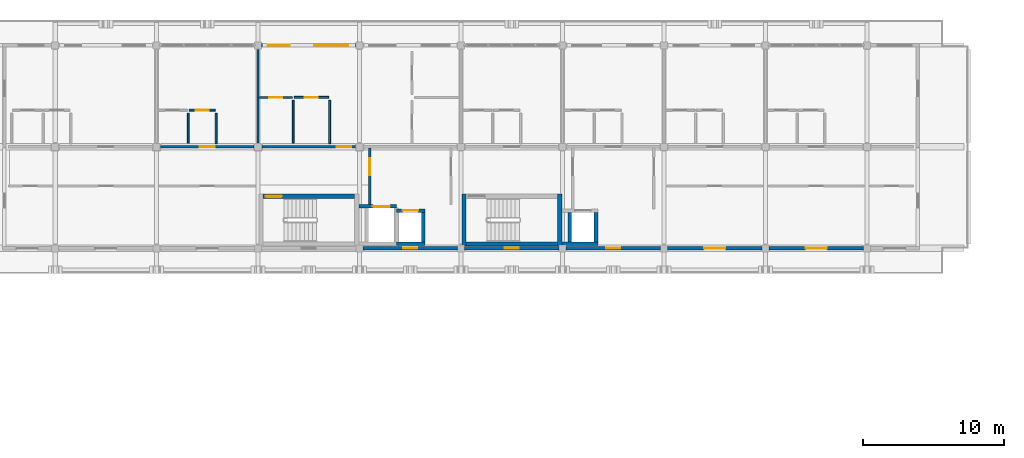
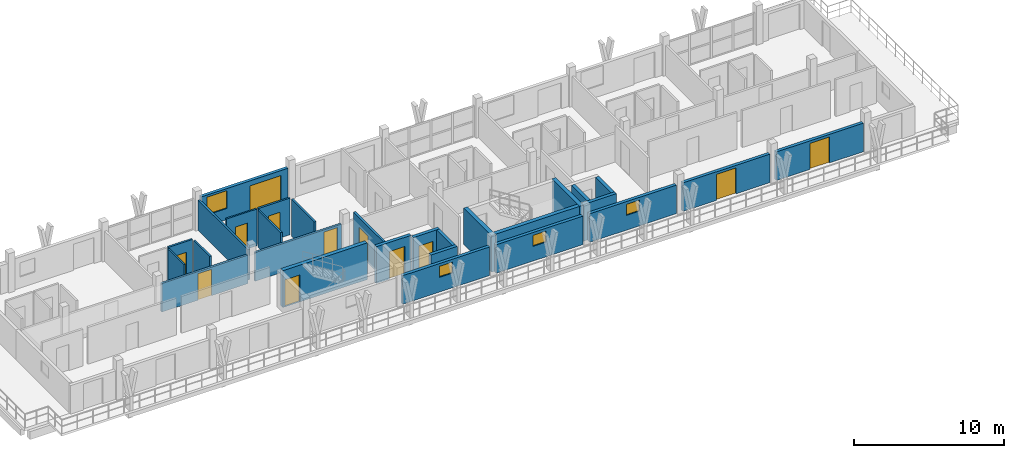
# One storey, part 28 of 45: 28 walls, 12 doors, 4 windows, 16 openings.
"""IFC4 building model written with IfcOpenShell, lengths in metres."""

from ifc_helpers import new_model, si_unit, direction, frame, frame_2d, origin, place, context, subcontext, project, spatial, rectangle, extrude, material, layer, layer_set, type_object, element, fill, save


model = new_model("IFC4")

# Units and contexts
model_context = context("Model", 3, precision=1e-05, world=origin(), true_north=direction((0.0, 1.0)))
body_context = subcontext(model_context, "Body", "Model", "MODEL_VIEW")
ifc_project = project(units=[si_unit("LENGTHUNIT", "METRE"), si_unit("AREAUNIT", "SQUARE_METRE"), si_unit("VOLUMEUNIT", "CUBIC_METRE"), si_unit("PLANEANGLEUNIT", "RADIAN"), si_unit("MASSUNIT", "GRAM", prefix="KILO")], contexts=[model_context])

# Site, building, storey
site_placement = place(None, origin())
site = spatial("IfcSite", under=ifc_project, at=site_placement, CompositionType="ELEMENT")
building_placement = place(site_placement, origin())
building = spatial("IfcBuilding", under=site, at=building_placement, Name="Suanplinth Sawtooth Commons", CompositionType="ELEMENT")
storey_placement = place(building_placement, frame((0.0, 0.0, 38.0)))
storey = spatial("IfcBuildingStorey", under=building, at=storey_placement, Name="L11", CompositionType="ELEMENT", Elevation=38.0)

# Wall, opening, door
ifc_material_1 = material(Name="Concrete C40/50", Category="concrete")
ifc_layer_1 = layer(ifc_material_1, 0.300048828125, Name="Standard RC stair and lift core wall 300mm")
ifc_layer_set_1 = layer_set([ifc_layer_1], Name="Concrete C40/50")
wall_type_1 = type_object("IfcWallType", Name="W-CR02", PredefinedType="SHEAR", material=ifc_layer_set_1)
wall_1_placement = place(storey_placement, frame((43.550048828125, 111.699951171875, 0.0), z_axis=(0.0, 0.0, 1.0), x_axis=(1.0, 0.0, 0.0)))
wall_1 = element("IfcWall", 1, at=wall_1_placement, inside=storey, type_object=wall_type_1, Name="W-L11-C-A1-STN", PredefinedType="SHEAR", context=body_context, shape_type="SweptSolid", body=[
    extrude(rectangle(XDim=6.5, YDim=0.300048828125, at=frame_2d((3.25, 0.0))), origin(), (0.0, 0.0, 1.0), 2.989990234375),
])
opening_1_placement = place(wall_1_placement, frame((0.179931640625, 0.0, 0.0)))
opening_1 = element("IfcOpeningElement", 2, at=opening_1_placement, cuts=wall_1, Name="Opening FD0061", PredefinedType="OPENING", context=body_context, shape_type="SweptSolid", body=[
    extrude(rectangle(XDim=1.14990234375, YDim=2.199951171875, at=frame_2d((0.574951171875, 1.10009765625))), frame((0.0, 0.1650390625, 0.0), z_axis=(0.0, -1.0, 0.0), x_axis=(1.0, 0.0, 0.0)), (0.0, 0.0, 1.0), 0.329833984375),
])
ifc_material_2 = material(Name="Teak hardwood fire-rated door assembly", Category="wood")
door_type_1 = type_object("IfcDoorType", Name="FD-01", OperationType="NOTDEFINED", PredefinedType="DOOR", material=ifc_material_2)
door_1_placement = place(opening_1_placement, frame((1.14990234375, 0.0, 0.0), z_axis=(0.0, 0.0, 1.0), x_axis=(-1.0, 0.0, 0.0)))
door_1 = element("IfcDoor", 3, at=door_1_placement, inside=storey, type_object=door_type_1, Name="Exit Stair Fire Door FD0061", OperationType="SINGLE_SWING_RIGHT", OverallHeight=2.199951171875, OverallWidth=1.14990234375, PredefinedType="DOOR", context=body_context, shape_type="SweptSolid", body=[
    extrude(rectangle(XDim=1.14990234375, YDim=2.199951171875, at=frame_2d((0.574951171875, 1.10009765625))), frame((0.0, 0.02490234375, 0.0), z_axis=(0.0, -1.0, 0.0), x_axis=(1.0, 0.0, 0.0)), (0.0, 0.0, 1.0), 0.050048828125),
])
fill(opening_1, door_1)

# Walls
wall_2_placement = place(storey_placement, frame((57.949951171875, 108.300048828125, 0.0), z_axis=(0.0, 0.0, 1.0), x_axis=(1.0, 0.0, 0.0)))
element("IfcWall", 4, at=wall_2_placement, inside=storey, type_object=wall_type_1, Name="W-L11-C-A2-STS", PredefinedType="SHEAR", context=body_context, shape_type="SweptSolid", body=[
    extrude(rectangle(XDim=6.5, YDim=0.300048828125, at=frame_2d((3.25, 0.0))), origin(), (0.0, 0.0, 1.0), 2.989990234375),
])
for number, where, z_axis, x_axis, name in (
    (5, (57.800048828125, 108.14990234375, 0.0), (0.0, 0.0, 1.0), (0.0, 1.0, 0.0), "W-L11-C-A2-STW"),
    (6, (64.60009765625, 108.14990234375, 0.0), (0.0, 0.0, 1.0), (0.0, 1.0, 0.0), "W-L11-C-A2-STE"),
):
    element("IfcWall", number, at=place(storey_placement, frame(where, z_axis=z_axis, x_axis=x_axis)), inside=storey, type_object=wall_type_1, Name=name, PredefinedType="SHEAR", context=body_context, shape_type="SweptSolid", body=[
        extrude(rectangle(XDim=3.7001953125, YDim=0.300048828125, at=frame_2d((1.85009765625, 0.0))), origin(), (0.0, 0.0, 1.0), 2.989990234375),
    ])

# Wall, openings, door, window
ifc_material_3 = material(Name="Precast concrete C40/50", Category="concrete")
ifc_layer_2 = layer(ifc_material_3, 0.239990234375, Name="Upper insulated precast facade wall 240mm")
ifc_layer_set_2 = layer_set([ifc_layer_2], Name="Precast concrete C40/50")
wall_type_2 = type_object("IfcWallType", Name="W-EX03", PredefinedType="ELEMENTEDWALL", material=ifc_layer_set_2)
wall_3_placement = place(storey_placement, frame((43.449951171875, 122.39990234375, 0.0), z_axis=(0.0, 0.0, 1.0), x_axis=(1.0, 0.0, 0.0)))
wall_3 = element("IfcWall", 7, at=wall_3_placement, inside=storey, type_object=wall_type_2, Name="Facade Wall W-L11-A-N-3", PredefinedType="ELEMENTEDWALL", context=body_context, shape_type="SweptSolid", body=[
    extrude(rectangle(XDim=6.699951171875, YDim=0.239990234375, at=frame_2d((3.35009765625, 0.0))), origin(), (0.0, 0.0, 1.0), 2.52490234375),
])
opening_2_placement = place(wall_3_placement, frame((3.75, 0.0, 0.0)))
opening_2 = element("IfcOpeningElement", 8, at=opening_2_placement, cuts=wall_3, Name="Opening ED0783", PredefinedType="OPENING", context=body_context, shape_type="SweptSolid", body=[
    extrude(rectangle(XDim=2.39990234375, YDim=2.1201171875, at=frame_2d((1.199951171875, 1.06005859375))), frame((0.0, 0.134765625, 0.0), z_axis=(0.0, -1.0, 0.0), x_axis=(1.0, 0.0, 0.0)), (0.0, 0.0, 1.0), 0.269775390625),
])
opening_3_placement = place(wall_3_placement, frame((0.449951171875, 0.0, 0.89990234375)))
opening_3 = element("IfcOpeningElement", 9, at=opening_3_placement, cuts=wall_3, Name="Opening W0863", PredefinedType="OPENING", context=body_context, shape_type="SweptSolid", body=[
    extrude(rectangle(XDim=1.550048828125, YDim=1.449951171875, at=frame_2d((0.77490234375, 0.72509765625))), frame((0.0, 0.134765625, 0.0), z_axis=(0.0, -1.0, 0.0), x_axis=(1.0, 0.0, 0.0)), (0.0, 0.0, 1.0), 0.269775390625),
])
ifc_material_4 = material(Name="Anodized aluminium and low-E glass", Category="aluminium")
door_type_2 = type_object("IfcDoorType", Name="SD-04", OperationType="DOUBLE_DOOR_SLIDING", PredefinedType="DOOR", material=ifc_material_4)
door_2_placement = place(opening_2_placement, frame((2.39990234375, 0.0, 0.0), z_axis=(0.0, 0.0, 1.0), x_axis=(-1.0, 0.0, 0.0)))
door_2 = element("IfcDoor", 10, at=door_2_placement, inside=storey, type_object=door_type_2, Name="Balcony Sliding Door L11-A-N-3", OperationType="DOUBLE_DOOR_SLIDING", OverallHeight=2.1201171875, OverallWidth=2.39990234375, PredefinedType="DOOR", context=body_context, shape_type="SweptSolid", body=[
    extrude(rectangle(XDim=2.39990234375, YDim=2.1201171875, at=frame_2d((1.199951171875, 1.06005859375))), frame((0.0, 0.02490234375, 0.0), z_axis=(0.0, -1.0, 0.0), x_axis=(1.0, 0.0, 0.0)), (0.0, 0.0, 1.0), 0.050048828125),
])
fill(opening_2, door_2)
ifc_material_5 = material(Name="Thermally broken aluminium and low-E double glazing", Category="aluminium")
window_type_1 = type_object("IfcWindowType", Name="WN-22", PartitioningType="DOUBLE_PANEL_VERTICAL", PredefinedType="WINDOW", material=ifc_material_5)
window_1_placement = place(opening_3_placement, origin())
window_1 = element("IfcWindow", 11, at=window_1_placement, inside=storey, type_object=window_type_1, Name="Window L11-A-N-3", OverallHeight=1.449951171875, OverallWidth=1.550048828125, PartitioningType="DOUBLE_PANEL_VERTICAL", PredefinedType="WINDOW", context=body_context, shape_type="SweptSolid", body=[
    extrude(rectangle(XDim=1.550048828125, YDim=1.449951171875, at=frame_2d((0.77490234375, 0.72509765625))), frame((0.0, 0.030029296875, 0.0), z_axis=(0.0, -1.0, 0.0), x_axis=(1.0, 0.0, 0.0)), (0.0, 0.0, 1.0), 0.06005859375),
])
fill(opening_3, window_1)

# Wall, opening, window
wall_4_placement = place(storey_placement, frame((50.64990234375, 108.0, 0.0), z_axis=(0.0, 0.0, 1.0), x_axis=(1.0, 0.0, 0.0)))
wall_4 = element("IfcWall", 12, at=wall_4_placement, inside=storey, type_object=wall_type_2, Name="Courtyard Wall W-L11-A-S-4", PredefinedType="ELEMENTEDWALL", context=body_context, shape_type="SweptSolid", body=[
    extrude(rectangle(XDim=6.7001953125, YDim=0.239990234375, at=frame_2d((3.35009765625, 0.0))), origin(), (0.0, 0.0, 1.0), 2.324951171875),
])
opening_4_placement = place(wall_4_placement, frame((2.85009765625, 0.0, 1.199951171875)))
opening_4 = element("IfcOpeningElement", 13, at=opening_4_placement, cuts=wall_4, Name="Opening W0866", PredefinedType="OPENING", context=body_context, shape_type="SweptSolid", body=[
    extrude(rectangle(XDim=1.0, YDim=0.89990234375, at=frame_2d((0.5, 0.449951171875))), frame((0.0, 0.134765625, 0.0), z_axis=(0.0, -1.0, 0.0), x_axis=(1.0, 0.0, 0.0)), (0.0, 0.0, 1.0), 0.269775390625),
])
window_type_2 = type_object("IfcWindowType", Name="WN-12", PartitioningType="SINGLE_PANEL", PredefinedType="WINDOW", material=ifc_material_5)
window_2_placement = place(opening_4_placement, origin())
window_2 = element("IfcWindow", 14, at=window_2_placement, inside=storey, type_object=window_type_2, Name="Core Daylight Window L11-A-4", OverallHeight=0.89990234375, OverallWidth=1.0, PartitioningType="SINGLE_PANEL", PredefinedType="WINDOW", context=body_context, shape_type="SweptSolid", body=[
    extrude(rectangle(XDim=1.0, YDim=0.89990234375, at=frame_2d((0.5, 0.449951171875))), frame((0.0, 0.030029296875, 0.0), z_axis=(0.0, -1.0, 0.0), x_axis=(1.0, 0.0, 0.0)), (0.0, 0.0, 1.0), 0.06005859375),
])
fill(opening_4, window_2)

wall_5_placement = place(storey_placement, frame((57.85009765625, 108.0, 0.0), z_axis=(0.0, 0.0, 1.0), x_axis=(1.0, 0.0, 0.0)))
wall_5 = element("IfcWall", 15, at=wall_5_placement, inside=storey, type_object=wall_type_2, Name="Courtyard Wall W-L11-A-S-5", PredefinedType="ELEMENTEDWALL", context=body_context, shape_type="SweptSolid", body=[
    extrude(rectangle(XDim=6.699951171875, YDim=0.239990234375, at=frame_2d((3.35009765625, 0.0))), origin(), (0.0, 0.0, 1.0), 2.324951171875),
])
opening_5_placement = place(wall_5_placement, frame((2.85009765625, 0.0, 1.199951171875)))
opening_5 = element("IfcOpeningElement", 16, at=opening_5_placement, cuts=wall_5, Name="Opening W0867", PredefinedType="OPENING", context=body_context, shape_type="SweptSolid", body=[
    extrude(rectangle(XDim=1.0, YDim=0.89990234375, at=frame_2d((0.5, 0.449951171875))), frame((0.0, 0.134765625, 0.0), z_axis=(0.0, -1.0, 0.0), x_axis=(1.0, 0.0, 0.0)), (0.0, 0.0, 1.0), 0.269775390625),
])
window_3_placement = place(opening_5_placement, origin())
window_3 = element("IfcWindow", 17, at=window_3_placement, inside=storey, type_object=window_type_2, Name="Core Daylight Window L11-A-5", OverallHeight=0.89990234375, OverallWidth=1.0, PartitioningType="SINGLE_PANEL", PredefinedType="WINDOW", context=body_context, shape_type="SweptSolid", body=[
    extrude(rectangle(XDim=1.0, YDim=0.89990234375, at=frame_2d((0.5, 0.449951171875))), frame((0.0, 0.030029296875, 0.0), z_axis=(0.0, -1.0, 0.0), x_axis=(1.0, 0.0, 0.0)), (0.0, 0.0, 1.0), 0.06005859375),
])
fill(opening_5, window_3)

wall_6_placement = place(storey_placement, frame((65.050048828125, 108.0, 0.0), z_axis=(0.0, 0.0, 1.0), x_axis=(1.0, 0.0, 0.0)))
wall_6 = element("IfcWall", 18, at=wall_6_placement, inside=storey, type_object=wall_type_2, Name="Courtyard Wall W-L11-A-S-6", PredefinedType="ELEMENTEDWALL", context=body_context, shape_type="SweptSolid", body=[
    extrude(rectangle(XDim=6.699951171875, YDim=0.239990234375, at=frame_2d((3.35009765625, 0.0))), origin(), (0.0, 0.0, 1.0), 2.324951171875),
])
opening_6_placement = place(wall_6_placement, frame((2.85009765625, 0.0, 1.199951171875)))
opening_6 = element("IfcOpeningElement", 19, at=opening_6_placement, cuts=wall_6, Name="Opening W0869", PredefinedType="OPENING", context=body_context, shape_type="SweptSolid", body=[
    extrude(rectangle(XDim=1.0, YDim=0.89990234375, at=frame_2d((0.5, 0.449951171875))), frame((0.0, 0.134765625, 0.0), z_axis=(0.0, -1.0, 0.0), x_axis=(1.0, 0.0, 0.0)), (0.0, 0.0, 1.0), 0.269775390625),
])
window_4_placement = place(opening_6_placement, origin())
window_4 = element("IfcWindow", 20, at=window_4_placement, inside=storey, type_object=window_type_2, Name="Core Daylight Window L11-A-6", OverallHeight=0.89990234375, OverallWidth=1.0, PartitioningType="SINGLE_PANEL", PredefinedType="WINDOW", context=body_context, shape_type="SweptSolid", body=[
    extrude(rectangle(XDim=1.0, YDim=0.89990234375, at=frame_2d((0.5, 0.449951171875))), frame((0.0, 0.030029296875, 0.0), z_axis=(0.0, -1.0, 0.0), x_axis=(1.0, 0.0, 0.0)), (0.0, 0.0, 1.0), 0.06005859375),
])
fill(opening_6, window_4)

# Wall, opening, door
wall_7_placement = place(storey_placement, frame((72.25, 108.0, 0.0), z_axis=(0.0, 0.0, 1.0), x_axis=(1.0, 0.0, 0.0)))
wall_7 = element("IfcWall", 21, at=wall_7_placement, inside=storey, type_object=wall_type_2, Name="Courtyard Wall W-L11-A-S-7", PredefinedType="ELEMENTEDWALL", context=body_context, shape_type="SweptSolid", body=[
    extrude(rectangle(XDim=6.699951171875, YDim=0.239990234375, at=frame_2d((3.35009765625, 0.0))), origin(), (0.0, 0.0, 1.0), 2.324951171875),
])
opening_7_placement = place(wall_7_placement, frame((2.60009765625, 0.0, 0.0)))
opening_7 = element("IfcOpeningElement", 22, at=opening_7_placement, cuts=wall_7, Name="Opening ED0787", PredefinedType="OPENING", context=body_context, shape_type="SweptSolid", body=[
    extrude(rectangle(XDim=1.5, YDim=2.1201171875, at=frame_2d((0.75, 1.06005859375))), frame((0.0, 0.134765625, 0.0), z_axis=(0.0, -1.0, 0.0), x_axis=(1.0, 0.0, 0.0)), (0.0, 0.0, 1.0), 0.269775390625),
])
door_type_3 = type_object("IfcDoorType", Name="SD-03", OperationType="SLIDING_TO_LEFT", PredefinedType="DOOR", material=ifc_material_4)
door_3_placement = place(opening_7_placement, frame((1.5, 0.0, 0.0), z_axis=(0.0, 0.0, 1.0), x_axis=(-1.0, 0.0, 0.0)))
door_3 = element("IfcDoor", 23, at=door_3_placement, inside=storey, type_object=door_type_3, Name="Courtyard Balcony Sliding Door L11-A-S-7", OperationType="SLIDING_TO_LEFT", OverallHeight=2.1201171875, OverallWidth=1.5, PredefinedType="DOOR", context=body_context, shape_type="SweptSolid", body=[
    extrude(rectangle(XDim=1.5, YDim=2.1201171875, at=frame_2d((0.75, 1.06005859375))), frame((0.0, 0.02490234375, 0.0), z_axis=(0.0, -1.0, 0.0), x_axis=(1.0, 0.0, 0.0)), (0.0, 0.0, 1.0), 0.050048828125),
])
fill(opening_7, door_3)

wall_8_placement = place(storey_placement, frame((79.449951171875, 108.0, 0.0), z_axis=(0.0, 0.0, 1.0), x_axis=(1.0, 0.0, 0.0)))
wall_8 = element("IfcWall", 24, at=wall_8_placement, inside=storey, type_object=wall_type_2, Name="Courtyard Wall W-L11-A-S-8", PredefinedType="ELEMENTEDWALL", context=body_context, shape_type="SweptSolid", body=[
    extrude(rectangle(XDim=6.699951171875, YDim=0.239990234375, at=frame_2d((3.35009765625, 0.0))), origin(), (0.0, 0.0, 1.0), 2.324951171875),
])
opening_8_placement = place(wall_8_placement, frame((2.60009765625, 0.0, 0.0)))
opening_8 = element("IfcOpeningElement", 25, at=opening_8_placement, cuts=wall_8, Name="Opening ED0788", PredefinedType="OPENING", context=body_context, shape_type="SweptSolid", body=[
    extrude(rectangle(XDim=1.5, YDim=2.1201171875, at=frame_2d((0.75, 1.06005859375))), frame((0.0, 0.134765625, 0.0), z_axis=(0.0, -1.0, 0.0), x_axis=(1.0, 0.0, 0.0)), (0.0, 0.0, 1.0), 0.269775390625),
])
door_4_placement = place(opening_8_placement, frame((1.5, 0.0, 0.0), z_axis=(0.0, 0.0, 1.0), x_axis=(-1.0, 0.0, 0.0)))
door_4 = element("IfcDoor", 26, at=door_4_placement, inside=storey, type_object=door_type_3, Name="Courtyard Balcony Sliding Door L11-A-S-8", OperationType="SLIDING_TO_LEFT", OverallHeight=2.1201171875, OverallWidth=1.5, PredefinedType="DOOR", context=body_context, shape_type="SweptSolid", body=[
    extrude(rectangle(XDim=1.5, YDim=2.1201171875, at=frame_2d((0.75, 1.06005859375))), frame((0.0, 0.02490234375, 0.0), z_axis=(0.0, -1.0, 0.0), x_axis=(1.0, 0.0, 0.0)), (0.0, 0.0, 1.0), 0.050048828125),
])
fill(opening_8, door_4)

ifc_layer_3 = layer(ifc_material_3, 0.159912109375, Name="Fire-rated corridor and lobby wall 160mm")
ifc_layer_set_3 = layer_set([ifc_layer_3], Name="Precast concrete C40/50")
wall_type_3 = type_object("IfcWallType", Name="W-FW01", PredefinedType="PARTITIONING", material=ifc_layer_set_3)
wall_9_placement = place(storey_placement, frame((51.1201171875, 111.10009765625, 0.0), z_axis=(0.0, 0.0, 1.0), x_axis=(0.0, 1.0, 0.0)))
wall_9 = element("IfcWall", 27, at=wall_9_placement, inside=storey, type_object=wall_type_3, Name="W-L11-C-A1-LOB-W", PredefinedType="PARTITIONING", context=body_context, shape_type="SweptSolid", body=[
    extrude(rectangle(XDim=4.02001953125, YDim=0.159912109375, at=frame_2d((2.010009765625, 0.0))), origin(), (0.0, 0.0, 1.0), 2.989990234375),
])
opening_9_placement = place(wall_9_placement, frame((2.10009765625, 0.0, 0.0)))
opening_9 = element("IfcOpeningElement", 28, at=opening_9_placement, cuts=wall_9, Name="Opening FD0062", PredefinedType="OPENING", context=body_context, shape_type="SweptSolid", body=[
    extrude(rectangle(XDim=1.199951171875, YDim=2.199951171875, at=frame_2d((0.60009765625, 1.10009765625))), frame((0.0, 0.0947265625, 0.0), z_axis=(0.0, -1.0, 0.0), x_axis=(1.0, 0.0, 0.0)), (0.0, 0.0, 1.0), 0.189697265625),
])
door_type_4 = type_object("IfcDoorType", Name="FD-02", OperationType="NOTDEFINED", PredefinedType="DOOR", material=ifc_material_2)
door_5_placement = place(opening_9_placement, origin())
door_5 = element("IfcDoor", 29, at=door_5_placement, inside=storey, type_object=door_type_4, Name="Lobby Fire Door FD0062", OperationType="SINGLE_SWING_LEFT", OverallHeight=2.199951171875, OverallWidth=1.199951171875, PredefinedType="DOOR", context=body_context, shape_type="SweptSolid", body=[
    extrude(rectangle(XDim=1.199951171875, YDim=2.199951171875, at=frame_2d((0.60009765625, 1.10009765625))), frame((0.0, 0.02490234375, 0.0), z_axis=(0.0, -1.0, 0.0), x_axis=(1.0, 0.0, 0.0)), (0.0, 0.0, 1.0), 0.050048828125),
])
fill(opening_9, door_5)

wall_10_placement = place(storey_placement, frame((36.280029296875, 115.199951171875, 0.0), z_axis=(0.0, 0.0, 1.0), x_axis=(1.0, 0.0, 0.0)))
wall_10 = element("IfcWall", 30, at=wall_10_placement, inside=storey, type_object=wall_type_3, Name="W-A-L11-U02-COR", PredefinedType="PARTITIONING", context=body_context, shape_type="SweptSolid", body=[
    extrude(rectangle(XDim=6.639892578125, YDim=0.159912109375, at=frame_2d((3.31982421875, 0.0))), origin(), (0.0, 0.0, 1.0), 2.324951171875),
])
opening_10_placement = place(wall_10_placement, frame((2.794921875, 0.0, 0.0)))
opening_10 = element("IfcOpeningElement", 31, at=opening_10_placement, cuts=wall_10, Name="Opening FD1931", PredefinedType="OPENING", context=body_context, shape_type="SweptSolid", body=[
    extrude(rectangle(XDim=1.050048828125, YDim=2.14990234375, at=frame_2d((0.52490234375, 1.074951171875))), frame((0.0, 0.0947265625, 0.0), z_axis=(0.0, -1.0, 0.0), x_axis=(1.0, 0.0, 0.0)), (0.0, 0.0, 1.0), 0.189697265625),
])
door_type_5 = type_object("IfcDoorType", Name="FD-04", OperationType="NOTDEFINED", PredefinedType="DOOR", material=ifc_material_2)
door_6_placement = place(opening_10_placement, origin())
door_6 = element("IfcDoor", 32, at=door_6_placement, inside=storey, type_object=door_type_5, Name="Unit Entrance Door FD1931", OperationType="SINGLE_SWING_LEFT", OverallHeight=2.14990234375, OverallWidth=1.050048828125, PredefinedType="DOOR", context=body_context, shape_type="SweptSolid", body=[
    extrude(rectangle(XDim=1.050048828125, YDim=2.14990234375, at=frame_2d((0.52490234375, 1.074951171875))), frame((0.0, 0.02490234375, 0.0), z_axis=(0.0, -1.0, 0.0), x_axis=(1.0, 0.0, 0.0)), (0.0, 0.0, 1.0), 0.050048828125),
])
fill(opening_10, door_6)

wall_11_placement = place(storey_placement, frame((43.47998046875, 115.199951171875, 0.0), z_axis=(0.0, 0.0, 1.0), x_axis=(1.0, 0.0, 0.0)))
wall_11 = element("IfcWall", 33, at=wall_11_placement, inside=storey, type_object=wall_type_3, Name="W-A-L11-U03-COR-S1", PredefinedType="PARTITIONING", context=body_context, shape_type="SweptSolid", body=[
    extrude(rectangle(XDim=6.64013671875, YDim=0.159912109375, at=frame_2d((3.320068359375, 0.0))), origin(), (0.0, 0.0, 1.0), 2.324951171875),
])
opening_11_placement = place(wall_11_placement, frame((5.294921875, 0.0, 0.0)))
opening_11 = element("IfcOpeningElement", 34, at=opening_11_placement, cuts=wall_11, Name="Opening FD1934", PredefinedType="OPENING", context=body_context, shape_type="SweptSolid", body=[
    extrude(rectangle(XDim=1.050048828125, YDim=2.14990234375, at=frame_2d((0.52490234375, 1.074951171875))), frame((0.0, 0.0947265625, 0.0), z_axis=(0.0, -1.0, 0.0), x_axis=(1.0, 0.0, 0.0)), (0.0, 0.0, 1.0), 0.189697265625),
])
door_7_placement = place(opening_11_placement, origin())
door_7 = element("IfcDoor", 35, at=door_7_placement, inside=storey, type_object=door_type_5, Name="Unit Entrance Door FD1934", OperationType="SINGLE_SWING_RIGHT", OverallHeight=2.14990234375, OverallWidth=1.050048828125, PredefinedType="DOOR", context=body_context, shape_type="SweptSolid", body=[
    extrude(rectangle(XDim=1.050048828125, YDim=2.14990234375, at=frame_2d((0.52490234375, 1.074951171875))), frame((0.0, 0.02490234375, 0.0), z_axis=(0.0, -1.0, 0.0), x_axis=(1.0, 0.0, 0.0)), (0.0, 0.0, 1.0), 0.050048828125),
])
fill(opening_11, door_7)

# Wall
ifc_layer_4 = layer(ifc_material_3, 0.14990234375, Name="Acoustic precast party demising wall 150mm")
ifc_layer_set_4 = layer_set([ifc_layer_4], Name="Precast concrete C40/50")
wall_type_4 = type_object("IfcWallType", Name="W-FW02", PredefinedType="PARTITIONING", material=ifc_layer_set_4)
wall_12_placement = place(storey_placement, frame((43.199951171875, 115.47998046875, 0.0), z_axis=(0.0, 0.0, 1.0), x_axis=(0.0, 1.0, 0.0)))
element("IfcWall", 36, at=wall_12_placement, inside=storey, type_object=wall_type_4, Name="W-A-L11-U02-PTY", PredefinedType="PARTITIONING", context=body_context, shape_type="SweptSolid", body=[
    extrude(rectangle(XDim=6.64013671875, YDim=0.14990234375, at=frame_2d((3.320068359375, 0.0))), origin(), (0.0, 0.0, 1.0), 2.47509765625),
])

# Wall, opening, door
ifc_material_6 = material(Name="Gypsum plasterboard on steel stud", Category="steel")
ifc_layer_5 = layer(ifc_material_6, 0.139892578125, Name="Fire-rated kitchen partition 140mm")
ifc_layer_set_5 = layer_set([ifc_layer_5], Name="Gypsum plasterboard on steel stud")
wall_type_5 = type_object("IfcWallType", Name="W-PT01", PredefinedType="PARTITIONING", material=ifc_layer_set_5)
wall_13_placement = place(storey_placement, frame((38.300048828125, 117.800048828125, 0.0), z_axis=(0.0, 0.0, 1.0), x_axis=(1.0, 0.0, 0.0)))
wall_13 = element("IfcWall", 37, at=wall_13_placement, inside=storey, type_object=wall_type_5, Name="W-A-L11-U02-KIT1", PredefinedType="PARTITIONING", context=body_context, shape_type="SweptSolid", body=[
    extrude(rectangle(XDim=1.849853515625, YDim=0.139892578125, at=frame_2d((0.9248046875, 0.0))), origin(), (0.0, 0.0, 1.0), 2.989990234375),
])
opening_12_placement = place(wall_13_placement, frame((0.465087890625, 0.0, 0.0)))
opening_12 = element("IfcOpeningElement", 38, at=opening_12_placement, cuts=wall_13, Name="Opening D1933", PredefinedType="OPENING", context=body_context, shape_type="SweptSolid", body=[
    extrude(rectangle(XDim=0.919921875, YDim=2.10009765625, at=frame_2d((0.4599609375, 1.050048828125))), frame((0.0, 0.0849609375, 0.0), z_axis=(0.0, -1.0, 0.0), x_axis=(1.0, 0.0, 0.0)), (0.0, 0.0, 1.0), 0.169677734375),
])
ifc_material_7 = material(Name="Teak hardwood", Category="wood")
door_type_6 = type_object("IfcDoorType", Name="D-02", OperationType="NOTDEFINED", PredefinedType="DOOR", material=ifc_material_7)
door_8_placement = place(opening_12_placement, frame((0.919921875, 0.0, 0.0), z_axis=(0.0, 0.0, 1.0), x_axis=(-1.0, 0.0, 0.0)))
door_8 = element("IfcDoor", 39, at=door_8_placement, inside=storey, type_object=door_type_6, Name="Kitchen Door D1933", OperationType="SINGLE_SWING_LEFT", OverallHeight=2.10009765625, OverallWidth=0.919921875, PredefinedType="DOOR", context=body_context, shape_type="SweptSolid", body=[
    extrude(rectangle(XDim=0.919921875, YDim=2.10009765625, at=frame_2d((0.4599609375, 1.050048828125))), frame((0.0, 0.02490234375, 0.0), z_axis=(0.0, -1.0, 0.0), x_axis=(1.0, 0.0, 0.0)), (0.0, 0.0, 1.0), 0.050048828125),
])
fill(opening_12, door_8)

# Wall
wall_14_placement = place(storey_placement, frame((40.219970703125, 115.429931640625, 0.0), z_axis=(0.0, 0.0, 1.0), x_axis=(0.0, 1.0, 0.0)))
element("IfcWall", 40, at=wall_14_placement, inside=storey, type_object=wall_type_5, Name="W-A-L11-U02-KIT2", PredefinedType="PARTITIONING", context=body_context, shape_type="SweptSolid", body=[
    extrude(rectangle(XDim=2.150146484375, YDim=0.139892578125, at=frame_2d((1.0751953125, 0.0))), origin(), (0.0, 0.0, 1.0), 2.989990234375),
])

# Wall, opening, door
wall_15_placement = place(storey_placement, frame((45.75, 118.7099609375, 0.0), z_axis=(0.0, 0.0, 1.0), x_axis=(1.0, 0.0, 0.0)))
wall_15 = element("IfcWall", 41, at=wall_15_placement, inside=storey, type_object=wall_type_5, Name="W-A-L11-U03-KIT1", PredefinedType="PARTITIONING", context=body_context, shape_type="SweptSolid", body=[
    extrude(rectangle(XDim=2.449951171875, YDim=0.139892578125, at=frame_2d((1.22509765625, 0.0))), origin(), (0.0, 0.0, 1.0), 2.989990234375),
])
opening_13_placement = place(wall_15_placement, frame((0.764892578125, 0.0, 0.0)))
opening_13 = element("IfcOpeningElement", 42, at=opening_13_placement, cuts=wall_15, Name="Opening D1936", PredefinedType="OPENING", context=body_context, shape_type="SweptSolid", body=[
    extrude(rectangle(XDim=0.919921875, YDim=2.10009765625, at=frame_2d((0.4599609375, 1.050048828125))), frame((0.0, 0.0849609375, 0.0), z_axis=(0.0, -1.0, 0.0), x_axis=(1.0, 0.0, 0.0)), (0.0, 0.0, 1.0), 0.169677734375),
])
door_9_placement = place(opening_13_placement, frame((0.919921875, 0.0, 0.0), z_axis=(0.0, 0.0, 1.0), x_axis=(-1.0, 0.0, 0.0)))
door_9 = element("IfcDoor", 43, at=door_9_placement, inside=storey, type_object=door_type_6, Name="Kitchen Door D1936", OperationType="SINGLE_SWING_RIGHT", OverallHeight=2.10009765625, OverallWidth=0.919921875, PredefinedType="DOOR", context=body_context, shape_type="SweptSolid", body=[
    extrude(rectangle(XDim=0.919921875, YDim=2.10009765625, at=frame_2d((0.4599609375, 1.050048828125))), frame((0.0, 0.02490234375, 0.0), z_axis=(0.0, -1.0, 0.0), x_axis=(1.0, 0.0, 0.0)), (0.0, 0.0, 1.0), 0.050048828125),
])
fill(opening_13, door_9)

# Walls
wall_16_placement = place(storey_placement, frame((48.27001953125, 115.429931640625, 0.0), z_axis=(0.0, 0.0, 1.0), x_axis=(0.0, 1.0, 0.0)))
element("IfcWall", 44, at=wall_16_placement, inside=storey, type_object=wall_type_5, Name="W-A-L11-U03-KIT2", PredefinedType="PARTITIONING", context=body_context, shape_type="SweptSolid", body=[
    extrude(rectangle(XDim=3.06005859375, YDim=0.139892578125, at=frame_2d((1.530029296875, 0.0))), origin(), (0.0, 0.0, 1.0), 2.989990234375),
])
ifc_layer_6 = layer(ifc_material_6, 0.1298828125, Name="Moisture-resistant bathroom partition 130mm")
ifc_layer_set_6 = layer_set([ifc_layer_6], Name="Gypsum plasterboard on steel stud")
wall_type_6 = type_object("IfcWallType", Name="W-PT02", PredefinedType="PARTITIONING", material=ifc_layer_set_6)
wall_17_placement = place(storey_placement, frame((38.2451171875, 115.4599609375, 0.0), z_axis=(0.0, 0.0, 1.0), x_axis=(0.0, 1.0, 0.0)))
element("IfcWall", 45, at=wall_17_placement, inside=storey, type_object=wall_type_6, Name="W-A-L11-U02-BTH2", PredefinedType="PARTITIONING", context=body_context, shape_type="SweptSolid", body=[
    extrude(rectangle(XDim=2.130126953125, YDim=0.1298828125, at=frame_2d((1.06494140625, 0.0))), origin(), (0.0, 0.0, 1.0), 2.989990234375),
])

# Wall, opening, door
wall_18_placement = place(storey_placement, frame((43.280029296875, 118.705078125, 0.0), z_axis=(0.0, 0.0, 1.0), x_axis=(1.0, 0.0, 0.0)))
wall_18 = element("IfcWall", 46, at=wall_18_placement, inside=storey, type_object=wall_type_6, Name="W-A-L11-U03-BTH1", PredefinedType="PARTITIONING", context=body_context, shape_type="SweptSolid", body=[
    extrude(rectangle(XDim=2.349853515625, YDim=0.1298828125, at=frame_2d((1.1748046875, 0.0))), origin(), (0.0, 0.0, 1.0), 2.989990234375),
])
opening_14_placement = place(wall_18_placement, frame((0.72509765625, 0.0, 0.0)))
opening_14 = element("IfcOpeningElement", 47, at=opening_14_placement, cuts=wall_18, Name="Opening D1935", PredefinedType="OPENING", context=body_context, shape_type="SweptSolid", body=[
    extrude(rectangle(XDim=0.89990234375, YDim=2.10009765625, at=frame_2d((0.449951171875, 1.050048828125))), frame((0.0, 0.079833984375, 0.0), z_axis=(0.0, -1.0, 0.0), x_axis=(1.0, 0.0, 0.0)), (0.0, 0.0, 1.0), 0.15966796875),
])
door_type_7 = type_object("IfcDoorType", Name="D-01", OperationType="NOTDEFINED", PredefinedType="DOOR", material=ifc_material_7)
door_10_placement = place(opening_14_placement, frame((0.89990234375, 0.0, 0.0), z_axis=(0.0, 0.0, 1.0), x_axis=(-1.0, 0.0, 0.0)))
door_10 = element("IfcDoor", 48, at=door_10_placement, inside=storey, type_object=door_type_7, Name="Bathroom Door D1935", OperationType="SINGLE_SWING_LEFT", OverallHeight=2.10009765625, OverallWidth=0.89990234375, PredefinedType="DOOR", context=body_context, shape_type="SweptSolid", body=[
    extrude(rectangle(XDim=0.89990234375, YDim=2.10009765625, at=frame_2d((0.449951171875, 1.050048828125))), frame((0.0, 0.02490234375, 0.0), z_axis=(0.0, -1.0, 0.0), x_axis=(1.0, 0.0, 0.0)), (0.0, 0.0, 1.0), 0.050048828125),
])
fill(opening_14, door_10)

# Wall
wall_19_placement = place(storey_placement, frame((45.695068359375, 115.4599609375, 0.0), z_axis=(0.0, 0.0, 1.0), x_axis=(0.0, 1.0, 0.0)))
element("IfcWall", 49, at=wall_19_placement, inside=storey, type_object=wall_type_6, Name="W-A-L11-U03-BTH2", PredefinedType="PARTITIONING", context=body_context, shape_type="SweptSolid", body=[
    extrude(rectangle(XDim=3.0400390625, YDim=0.1298828125, at=frame_2d((1.52001953125, 0.0))), origin(), (0.0, 0.0, 1.0), 2.989990234375),
])

# Wall, opening, door
ifc_layer_7 = layer(ifc_material_3, 0.25, Name="Precast structural shear wall 250mm")
ifc_layer_set_7 = layer_set([ifc_layer_7], Name="Precast concrete C40/50")
wall_type_7 = type_object("IfcWallType", Name="W-SH01", PredefinedType="SHEAR", material=ifc_layer_set_7)
wall_20_placement = place(storey_placement, frame((50.35009765625, 110.97509765625, 0.0), z_axis=(0.0, 0.0, 1.0), x_axis=(1.0, 0.0, 0.0)))
wall_20 = element("IfcWall", 50, at=wall_20_placement, inside=storey, type_object=wall_type_7, Name="W-L11-FL1-N", PredefinedType="SHEAR", context=body_context, shape_type="SweptSolid", body=[
    extrude(rectangle(XDim=2.6748046875, YDim=0.25, at=frame_2d((1.33740234375, 0.0))), origin(), (0.0, 0.0, 1.0), 2.989990234375),
])
opening_15_placement = place(wall_20_placement, frame((1.0, 0.0, 0.0)))
opening_15 = element("IfcOpeningElement", 51, at=opening_15_placement, cuts=wall_20, Name="Opening LD0064", PredefinedType="OPENING", context=body_context, shape_type="SweptSolid", body=[
    extrude(rectangle(XDim=1.199951171875, YDim=2.25, at=frame_2d((0.60009765625, 1.125))), frame((0.0, 0.139892578125, 0.0), z_axis=(0.0, -1.0, 0.0), x_axis=(1.0, 0.0, 0.0)), (0.0, 0.0, 1.0), 0.27978515625),
])
ifc_material_8 = material(Name="Stainless steel Grade 304", Category="steel")
door_type_8 = type_object("IfcDoorType", Name="LD-02", OperationType="SLIDING_TO_LEFT", PredefinedType="DOOR", material=ifc_material_8)
door_11_placement = place(opening_15_placement, origin())
door_11 = element("IfcDoor", 52, at=door_11_placement, inside=storey, type_object=door_type_8, Name="Lift Landing Sliding Door FL1 L11", OperationType="SLIDING_TO_LEFT", OverallHeight=2.25, OverallWidth=1.199951171875, PredefinedType="DOOR", context=body_context, shape_type="SweptSolid", body=[
    extrude(rectangle(XDim=1.199951171875, YDim=2.25, at=frame_2d((0.60009765625, 1.125))), frame((0.0, 0.02490234375, 0.0), z_axis=(0.0, -1.0, 0.0), x_axis=(1.0, 0.0, 0.0)), (0.0, 0.0, 1.0), 0.050048828125),
])
fill(opening_15, door_11)

# Wall
wall_21_placement = place(storey_placement, frame((53.02490234375, 108.324951171875, 0.0), z_axis=(0.0, 0.0, 1.0), x_axis=(1.0, 0.0, 0.0)))
element("IfcWall", 53, at=wall_21_placement, inside=storey, type_object=wall_type_7, Name="W-L11-LF1-S", PredefinedType="SHEAR", context=body_context, shape_type="SweptSolid", body=[
    extrude(rectangle(XDim=2.025146484375, YDim=0.25, at=frame_2d((1.0126953125, 0.0))), origin(), (0.0, 0.0, 1.0), 2.989990234375),
])

# Wall, opening, door
wall_22_placement = place(storey_placement, frame((53.02490234375, 110.675048828125, 0.0), z_axis=(0.0, 0.0, 1.0), x_axis=(1.0, 0.0, 0.0)))
wall_22 = element("IfcWall", 54, at=wall_22_placement, inside=storey, type_object=wall_type_7, Name="W-L11-LF1-N", PredefinedType="SHEAR", context=body_context, shape_type="SweptSolid", body=[
    extrude(rectangle(XDim=2.025146484375, YDim=0.25, at=frame_2d((1.0126953125, 0.0))), origin(), (0.0, 0.0, 1.0), 2.989990234375),
])
opening_16_placement = place(wall_22_placement, frame((0.425048828125, 0.0, 0.0)))
opening_16 = element("IfcOpeningElement", 55, at=opening_16_placement, cuts=wall_22, Name="Opening LD0065", PredefinedType="OPENING", context=body_context, shape_type="SweptSolid", body=[
    extrude(rectangle(XDim=1.10009765625, YDim=2.14990234375, at=frame_2d((0.550048828125, 1.074951171875))), frame((0.0, 0.139892578125, 0.0), z_axis=(0.0, -1.0, 0.0), x_axis=(1.0, 0.0, 0.0)), (0.0, 0.0, 1.0), 0.27978515625),
])
door_type_9 = type_object("IfcDoorType", Name="LD-01", OperationType="SLIDING_TO_LEFT", PredefinedType="DOOR", material=ifc_material_8)
door_12_placement = place(opening_16_placement, origin())
door_12 = element("IfcDoor", 56, at=door_12_placement, inside=storey, type_object=door_type_9, Name="Lift Landing Sliding Door LF1 L11", OperationType="SLIDING_TO_LEFT", OverallHeight=2.14990234375, OverallWidth=1.10009765625, PredefinedType="DOOR", context=body_context, shape_type="SweptSolid", body=[
    extrude(rectangle(XDim=1.10009765625, YDim=2.14990234375, at=frame_2d((0.550048828125, 1.074951171875))), frame((0.0, 0.02490234375, 0.0), z_axis=(0.0, -1.0, 0.0), x_axis=(1.0, 0.0, 0.0)), (0.0, 0.0, 1.0), 0.050048828125),
])
fill(opening_16, door_12)

# Walls
wall_23_placement = place(storey_placement, frame((54.925048828125, 108.449951171875, 0.0), z_axis=(0.0, 0.0, 1.0), x_axis=(0.0, 1.0, 0.0)))
element("IfcWall", 57, at=wall_23_placement, inside=storey, type_object=wall_type_7, Name="W-L11-LF1-E", PredefinedType="SHEAR", context=body_context, shape_type="SweptSolid", body=[
    extrude(rectangle(XDim=2.10009765625, YDim=0.25, at=frame_2d((1.050048828125, 0.0))), origin(), (0.0, 0.0, 1.0), 2.989990234375),
])
wall_24_placement = place(storey_placement, frame((64.75, 108.324951171875, 0.0), z_axis=(0.0, 0.0, 1.0), x_axis=(1.0, 0.0, 0.0)))
element("IfcWall", 58, at=wall_24_placement, inside=storey, type_object=wall_type_7, Name="W-L11-LF2-S", PredefinedType="SHEAR", context=body_context, shape_type="SweptSolid", body=[
    extrude(rectangle(XDim=2.550048828125, YDim=0.25, at=frame_2d((1.27490234375, 0.0))), origin(), (0.0, 0.0, 1.0), 2.989990234375),
])
for number, where, z_axis, x_axis, name in (
    (59, (65.324951171875, 108.449951171875, 0.0), (0.0, 0.0, 1.0), (0.0, 1.0, 0.0), "W-L11-LF2-W"),
    (60, (67.175048828125, 108.449951171875, 0.0), (0.0, 0.0, 1.0), (0.0, 1.0, 0.0), "W-L11-LF2-E"),
):
    element("IfcWall", number, at=place(storey_placement, frame(where, z_axis=z_axis, x_axis=x_axis)), inside=storey, type_object=wall_type_7, Name=name, PredefinedType="SHEAR", context=body_context, shape_type="SweptSolid", body=[
        extrude(rectangle(XDim=2.10009765625, YDim=0.25, at=frame_2d((1.050048828125, 0.0))), origin(), (0.0, 0.0, 1.0), 2.989990234375),
    ])

save(model, "model.ifc")
